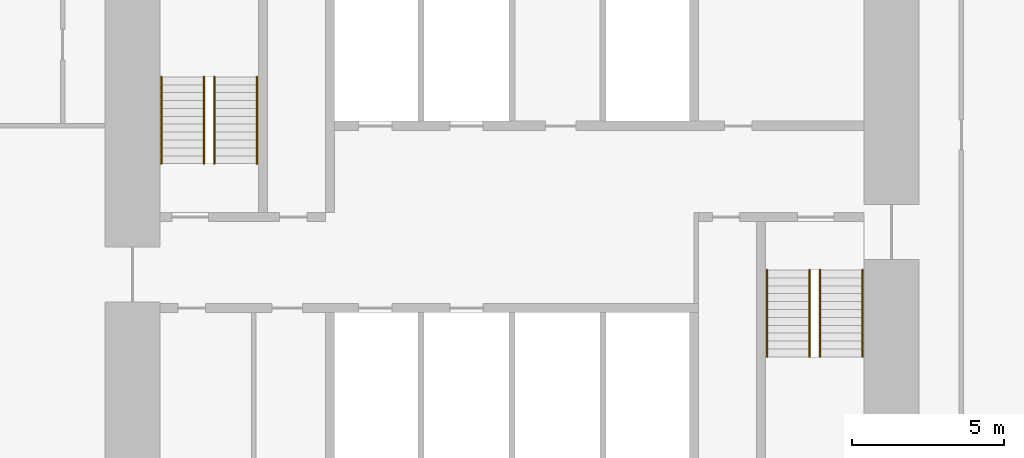
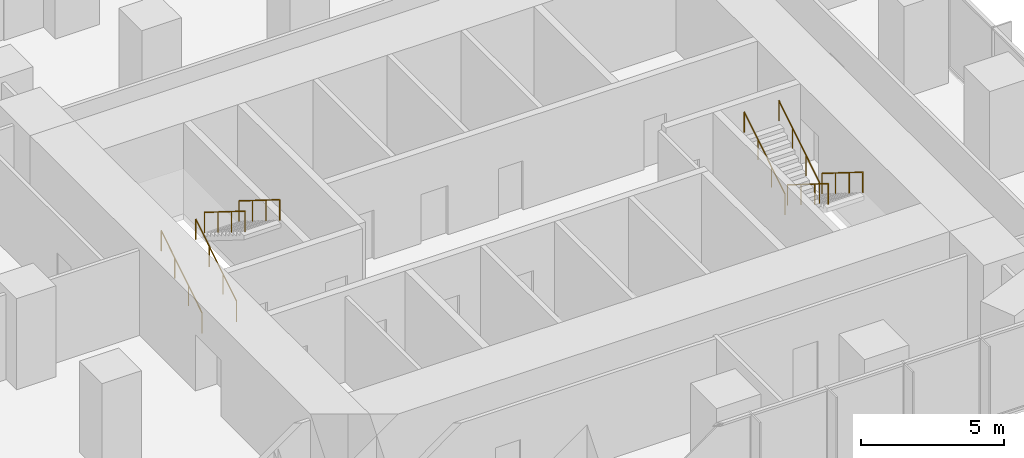
# One storey, part 11 of 11: 8 railings.
"""IFC4 building model written with IfcOpenShell, lengths in metres."""

from ifc_helpers import new_model, si_unit, direction, frame, origin, origin_2d, place, context, subcontext, project, spatial, circle, extrude, material, type_object, element, save


model = new_model("IFC4")

# Units and contexts
model_context = context("Model", 3, precision=1e-05, world=origin(), true_north=direction((0.0, 1.0)))
body_context = subcontext(model_context, "Body", "Model", "MODEL_VIEW")
ifc_project = project(units=[si_unit("LENGTHUNIT", "METRE"), si_unit("AREAUNIT", "SQUARE_METRE"), si_unit("VOLUMEUNIT", "CUBIC_METRE"), si_unit("PLANEANGLEUNIT", "RADIAN"), si_unit("MASSUNIT", "GRAM", prefix="KILO")], contexts=[model_context])

# Site, building, storey
site_placement = place(None, origin())
site = spatial("IfcSite", under=ifc_project, at=site_placement, CompositionType="ELEMENT")
building_placement = place(site_placement, origin())
building = spatial("IfcBuilding", under=site, at=building_placement, Name="Highveld Stack Headquarters", CompositionType="ELEMENT")
storey_placement = place(building_placement, frame((0.0, 0.0, 93.800048828125)))
storey = spatial("IfcBuildingStorey", under=building, at=storey_placement, Name="L22", CompositionType="ELEMENT", Elevation=93.800048828125)

# Railings
ifc_material = material(Name="Stainless steel handrail", Category="steel")
railing_type = type_object("IfcRailingType", Name="STAIR HANDRAIL HR1 900", PredefinedType="HANDRAIL", material=ifc_material)
for number, where, name in (
    (1, (-5.550048828125, 4.75, 0.162353515625), "Handrail S1 L22 flight 1"),
    (2, (-4.14990234375, 4.75, 0.162353515625), "Handrail S1 L22 flight 1"),
):
    element("IfcRailing", number, at=place(storey_placement, frame(where)), inside=storey, type_object=railing_type, Name=name, PredefinedType="HANDRAIL", context=body_context, shape_type="SweptSolid", body=[
        extrude(circle(Radius=0.02392578125, at=origin_2d()), frame((0.0, 0.0, 0.8759765625), z_axis=(0.0, 0.847994237388, 0.530005446535), x_axis=(-1.0, 0.0, 0.0)), (0.0, 0.0, 1.0), 3.372802734375),
        extrude(circle(Radius=0.02099609375, at=origin_2d()), origin(), (0.0, 0.0, 1.0), 0.851806640625),
        extrude(circle(Radius=0.02099609375, at=origin_2d()), frame((0.0, 0.953369140625, 0.595947265625)), (0.0, 0.0, 1.0), 0.851806640625),
        extrude(circle(Radius=0.02099609375, at=origin_2d()), frame((0.0, 1.90673828125, 1.191650390625)), (0.0, 0.0, 1.0), 0.851806640625),
        extrude(circle(Radius=0.02099609375, at=origin_2d()), frame((0.0, 2.860107421875, 1.78759765625)), (0.0, 0.0, 1.0), 0.851806640625),
    ])
for number, where, name in (
    (3, (-3.800048828125, 7.610107421875, 2.112548828125), "Handrail S1 L22 flight 2"),
    (4, (-2.39990234375, 7.610107421875, 2.112548828125), "Handrail S1 L22 flight 2"),
):
    element("IfcRailing", number, at=place(storey_placement, frame(where)), inside=storey, type_object=railing_type, Name=name, PredefinedType="HANDRAIL", context=body_context, shape_type="SweptSolid", body=[
        extrude(circle(Radius=0.02392578125, at=origin_2d()), frame((0.0, 0.0, 0.8759765625), z_axis=(0.0, -0.848026770018, 0.529953391661), x_axis=(1.0, 0.0, 0.0)), (0.0, 0.0, 1.0), 3.37255859375),
        extrude(circle(Radius=0.02099609375, at=origin_2d()), origin(), (0.0, 0.0, 1.0), 0.851806640625),
        extrude(circle(Radius=0.02099609375, at=origin_2d()), frame((0.0, -0.953369140625, 0.595703125)), (0.0, 0.0, 1.0), 0.851806640625),
        extrude(circle(Radius=0.02099609375, at=origin_2d()), frame((0.0, -1.90673828125, 1.191650390625)), (0.0, 0.0, 1.0), 0.851806640625),
        extrude(circle(Radius=0.02099609375, at=origin_2d()), frame((0.0, -2.860107421875, 1.787353515625)), (0.0, 0.0, 1.0), 0.851806640625),
    ])
for number, where, name in (
    (5, (16.14990234375, 1.25, 0.162353515625), "Handrail S2 L22 flight 1"),
    (6, (17.550048828125, 1.25, 0.162353515625), "Handrail S2 L22 flight 1"),
):
    element("IfcRailing", number, at=place(storey_placement, frame(where)), inside=storey, type_object=railing_type, Name=name, PredefinedType="HANDRAIL", context=body_context, shape_type="SweptSolid", body=[
        extrude(circle(Radius=0.02392578125, at=origin_2d()), frame((0.0, 0.0, 0.8759765625), z_axis=(0.0, -0.847994237388, 0.530005446535), x_axis=(1.0, 0.0, 0.0)), (0.0, 0.0, 1.0), 3.372802734375),
        extrude(circle(Radius=0.02099609375, at=origin_2d()), origin(), (0.0, 0.0, 1.0), 0.851806640625),
        extrude(circle(Radius=0.02099609375, at=origin_2d()), frame((0.0, -0.953369140625, 0.595947265625)), (0.0, 0.0, 1.0), 0.851806640625),
        extrude(circle(Radius=0.02099609375, at=origin_2d()), frame((0.0, -1.90673828125, 1.191650390625)), (0.0, 0.0, 1.0), 0.851806640625),
        extrude(circle(Radius=0.02099609375, at=origin_2d()), frame((0.0, -2.860107421875, 1.78759765625)), (0.0, 0.0, 1.0), 0.851806640625),
    ])
for number, where, name in (
    (7, (14.39990234375, -1.610107421875, 2.112548828125), "Handrail S2 L22 flight 2"),
    (8, (15.800048828125, -1.610107421875, 2.112548828125), "Handrail S2 L22 flight 2"),
):
    element("IfcRailing", number, at=place(storey_placement, frame(where)), inside=storey, type_object=railing_type, Name=name, PredefinedType="HANDRAIL", context=body_context, shape_type="SweptSolid", body=[
        extrude(circle(Radius=0.02392578125, at=origin_2d()), frame((0.0, 0.0, 0.8759765625), z_axis=(0.0, 0.848026770018, 0.529953391661), x_axis=(-1.0, 0.0, 0.0)), (0.0, 0.0, 1.0), 3.37255859375),
        extrude(circle(Radius=0.02099609375, at=origin_2d()), origin(), (0.0, 0.0, 1.0), 0.851806640625),
        extrude(circle(Radius=0.02099609375, at=origin_2d()), frame((0.0, 0.953369140625, 0.595703125)), (0.0, 0.0, 1.0), 0.851806640625),
        extrude(circle(Radius=0.02099609375, at=origin_2d()), frame((0.0, 1.90673828125, 1.191650390625)), (0.0, 0.0, 1.0), 0.851806640625),
        extrude(circle(Radius=0.02099609375, at=origin_2d()), frame((0.0, 2.860107421875, 1.787353515625)), (0.0, 0.0, 1.0), 0.851806640625),
    ])

save(model, "model.ifc")
